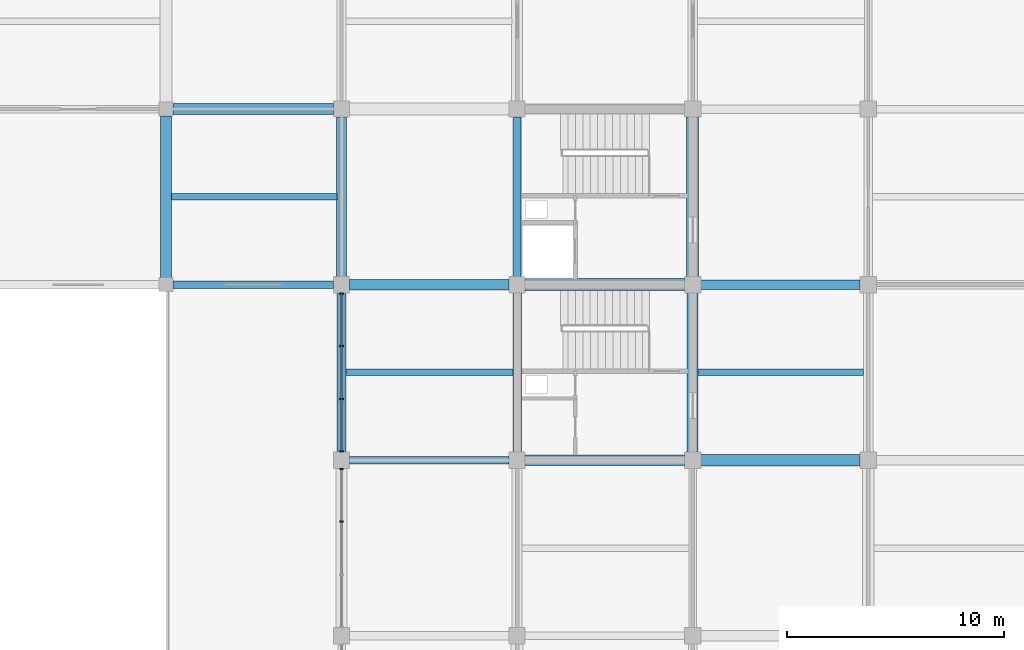
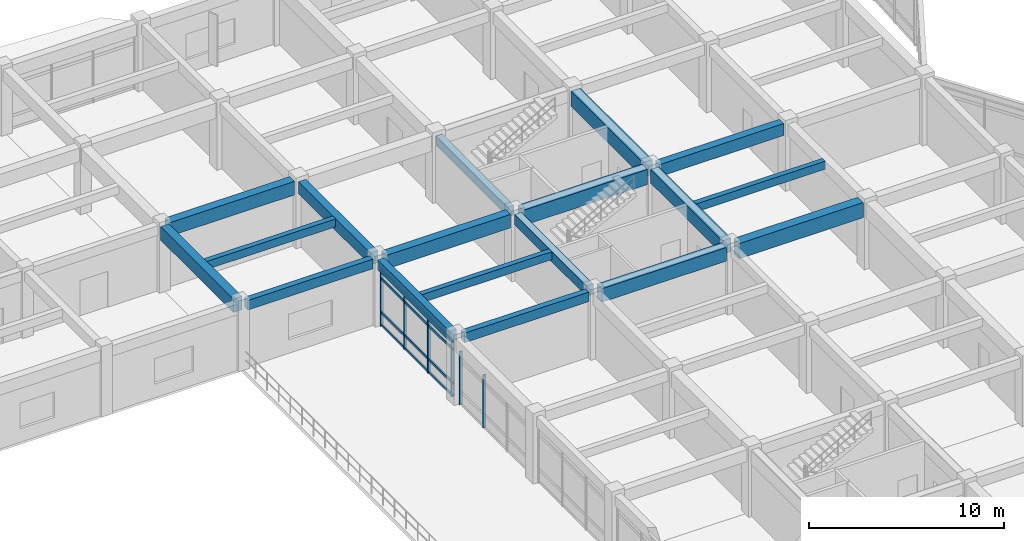
# One storey, part 31 of 70: 18 beams, 10 members, 2 elements without a shape of their own.
"""IFC4 building model written with IfcOpenShell, lengths in metres."""

import ifcopenshell
import ifcopenshell.guid

model = None  # the IFC model being written
_history = None  # IfcOwnerHistory: only IFC2X3 demands one
_inside = {}  # id of a spatial element -> (the spatial element, [elements in it])
_under = {}  # id of a project, library or spatial element -> (it, [spatial elements below it])
_declared = {}  # id of a project -> (the project, [libraries it declares])
_typed = {}  # id of a type object -> (the type object, [elements of that type])
_made_of = {}  # id of a material, layer set ... -> (it, [elements and type objects made of it])


def new_model(schema):
    """Start an empty IFC model of exactly this schema.

    Asked for "IFC4X3", IfcOpenShell would pick the latest addendum, in which some entities
    have other attributes; the version numbers below select the first issue.
    IFC2X3 requires an IfcOwnerHistory on every rooted entity: one is made here for all.
    """
    global model, _history
    if schema == "IFC4X3":
        model = ifcopenshell.file(schema_version=(4, 3, 0, 0))
    else:
        model = ifcopenshell.file(schema=schema)
    _inside.clear()
    _under.clear()
    _declared.clear()
    _typed.clear()
    _made_of.clear()
    _history = None
    if model.schema == "IFC2X3":
        org = make("IfcOrganization", Name="unknown")
        user = make(
            "IfcPersonAndOrganization",
            ThePerson=make("IfcPerson", FamilyName="unknown"),
            TheOrganization=org,
        )
        app = make(
            "IfcApplication",
            ApplicationDeveloper=org,
            Version="unknown",
            ApplicationFullName="unknown",
            ApplicationIdentifier="unknown",
        )
        _history = make(
            "IfcOwnerHistory",
            OwningUser=user,
            OwningApplication=app,
            ChangeAction="ADDED",
            CreationDate=0,
        )
    return model


def make(cls, **values):
    """One entity of the class cls with the attributes given. An attribute that is None is left unset."""
    return model.create_entity(
        cls, **{name: value for name, value in values.items() if value is not None}
    )


def rooted(cls, **values):
    """An entity with a GlobalId (a new one), such as an element, a storey or a relation."""
    return make(cls, GlobalId=ifcopenshell.guid.new(), OwnerHistory=_history, **values)


def si_unit(unit_type, name, prefix=None):
    """IfcSIUnit, for example si_unit("LENGTHUNIT", "METRE", prefix="MILLI")."""
    return make("IfcSIUnit", UnitType=unit_type, Prefix=prefix, Name=name)


def assignment(units):
    """IfcUnitAssignment: the units of a project."""
    return None if units is None else make("IfcUnitAssignment", Units=units)


def point(xyz):
    """IfcCartesianPoint."""
    return None if xyz is None else make("IfcCartesianPoint", Coordinates=xyz)


def direction(xyz):
    """IfcDirection."""
    return None if xyz is None else make("IfcDirection", DirectionRatios=xyz)


def frame(location, z_axis=None, x_axis=None):
    """IfcAxis2Placement3D, a coordinate frame: its origin and axes. An axis left out is left unset."""
    return make(
        "IfcAxis2Placement3D",
        Location=point(location),
        Axis=direction(z_axis),
        RefDirection=direction(x_axis),
    )


def frame_2d(location, x_axis=None):
    """IfcAxis2Placement2D, a coordinate frame in the plane: its origin and x axis."""
    return make(
        "IfcAxis2Placement2D", Location=point(location), RefDirection=direction(x_axis)
    )


def origin():
    """The frame at (0, 0, 0) with its axes left unset."""
    return frame((0.0, 0.0, 0.0))


def origin_2d():
    """The frame at (0, 0) in the plane with its x axis left unset."""
    return frame_2d((0.0, 0.0))


def place(relative_to, where):
    """IfcLocalPlacement: puts the frame where relative to a parent placement (None: the world)."""
    return make(
        "IfcLocalPlacement", PlacementRelTo=relative_to, RelativePlacement=where
    )


def context(
    kind, dimensions, precision=None, world=None, true_north=None, identifier=None
):
    """IfcGeometricRepresentationContext, for example the 3D "Model" context."""
    return make(
        "IfcGeometricRepresentationContext",
        ContextIdentifier=identifier,
        ContextType=kind,
        CoordinateSpaceDimension=dimensions,
        Precision=precision,
        WorldCoordinateSystem=world,
        TrueNorth=true_north,
    )


def subcontext(parent, identifier, kind, view, scale=None):
    """IfcGeometricRepresentationSubContext, for example "Body" below "Model"."""
    return make(
        "IfcGeometricRepresentationSubContext",
        ContextIdentifier=identifier,
        ContextType=kind,
        ParentContext=parent,
        TargetScale=scale,
        TargetView=view,
    )


def project(units=None, contexts=None):
    """IfcProject with its units and contexts."""
    return rooted(
        "IfcProject",
        Name="project",
        RepresentationContexts=contexts,
        UnitsInContext=assignment(units),
    )


def spatial(cls, under=None, at=None, **own):
    """A site, building, storey or space (cls), placed at a placement, below another one or the project."""
    s = rooted(cls, ObjectPlacement=at, **own)
    if under is not None:
        _under.setdefault(under.id(), (under, []))[1].append(s)
    return s


def profile(cls, at=None, kind="AREA", **sizes):
    """A parametric profile (cls). Its sizes go by their IFC names, for example OverallWidth=200.0."""
    return make(cls, ProfileType=kind, Position=at, **sizes)


def rectangle(**sizes):
    """IfcRectangleProfileDef."""
    return profile("IfcRectangleProfileDef", **sizes)


def extrude(swept, where, along, depth):
    """IfcExtrudedAreaSolid: the profile swept, set in the frame where, extruded along a direction by depth."""
    return make(
        "IfcExtrudedAreaSolid",
        SweptArea=swept,
        Position=where,
        ExtrudedDirection=direction(along),
        Depth=depth,
    )


def shape(context_of_items, identifier, shape_type, items):
    """IfcShapeRepresentation: the items that make up one representation, for example the "Body"."""
    return make(
        "IfcShapeRepresentation",
        ContextOfItems=context_of_items,
        RepresentationIdentifier=identifier,
        RepresentationType=shape_type,
        Items=items,
    )


def material(Name=None, Category=None):
    """IfcMaterial."""
    return make("IfcMaterial", Name=Name, Category=Category)


def layer(
    of_material, thickness, ventilated=None, Name=None, Category=None, Priority=None
):
    """IfcMaterialLayer: one layer of a wall or slab, of a material (None: an air gap)."""
    return make(
        "IfcMaterialLayer",
        Material=of_material,
        LayerThickness=thickness,
        IsVentilated=ventilated,
        Name=Name,
        Category=Category,
        Priority=Priority,
    )


def layer_set(layers, Name=None):
    """IfcMaterialLayerSet."""
    return make("IfcMaterialLayerSet", MaterialLayers=layers, LayerSetName=Name)


def material_profile(
    of_material, cross_section, Name=None, Category=None, Priority=None
):
    """IfcMaterialProfile: a cross section and its material."""
    return make(
        "IfcMaterialProfile",
        Name=Name,
        Material=of_material,
        Profile=cross_section,
        Priority=Priority,
        Category=Category,
    )


def profile_set(profiles, Name=None, composite=None):
    """IfcMaterialProfileSet."""
    return make(
        "IfcMaterialProfileSet",
        Name=Name,
        MaterialProfiles=profiles,
        CompositeProfile=composite,
    )


def made_of(thing, what):
    """Note that an element or type object is made of a material, layer set ...; save() writes the relation."""
    if what is not None:
        _made_of.setdefault(what.id(), (what, []))[1].append(thing)
    return thing


def type_object(cls, material=None, **own):
    """A type object (cls), such as IfcWallType, which elements share."""
    return made_of(rooted(cls, **own), material)


def element(
    cls,
    number,
    at=None,
    inside=None,
    cuts=None,
    type_object=None,
    material=None,
    context=None,
    identifier="Body",
    shape_type=None,
    held_by="IfcProductDefinitionShape",
    body=None,
    shapes=None,
    **own,
):
    """One element of the class cls, such as IfcWall. Its Tag is "e" and its number.

    at: its placement. inside: the storey or other place that contains it. cuts: it is an
    opening in that element (IfcRelVoidsElement). A single representation is given by context,
    identifier, shape_type and body (its items); several are given by shapes. held_by: the class
    of the entity that holds the representations. save() writes the other relations.
    """
    e = rooted(cls, Tag="e%d" % number, ObjectPlacement=at, **own)
    if body is not None:
        shapes = [shape(context, identifier, shape_type, body)]
    if shapes is not None:
        e.Representation = make(held_by, Representations=shapes)
    if inside is not None:
        _inside.setdefault(inside.id(), (inside, []))[1].append(e)
    if cuts is not None:
        rooted(
            "IfcRelVoidsElement", RelatingBuildingElement=cuts, RelatedOpeningElement=e
        )
    if type_object is not None:
        _typed.setdefault(type_object.id(), (type_object, []))[1].append(e)
    return made_of(e, material)


def aggregate(whole, parts):
    """IfcRelAggregates: a whole, such as a stair, and the parts it consists of."""
    return rooted("IfcRelAggregates", RelatingObject=whole, RelatedObjects=parts)


def save(model, path):
    """Write the relations noted so far, then the file.

    IfcRelAggregates (storeys below a building ...), IfcRelContainedInSpatialStructure (elements
    in a storey), IfcRelDefinesByType, IfcRelAssociatesMaterial and IfcRelDeclares: one each for
    every whole, place, type object, material and project.
    """
    for whole, parts in _under.values():
        aggregate(whole, parts)
    for where, things in _inside.values():
        rooted(
            "IfcRelContainedInSpatialStructure",
            RelatedElements=things,
            RelatingStructure=where,
        )
    for kind, things in _typed.values():
        rooted("IfcRelDefinesByType", RelatedObjects=things, RelatingType=kind)
    for what, things in _made_of.values():
        rooted("IfcRelAssociatesMaterial", RelatedObjects=things, RelatingMaterial=what)
    for by, libraries in _declared.values():
        rooted("IfcRelDeclares", RelatingContext=by, RelatedDefinitions=libraries)
    model.write(path)


model = new_model("IFC4")

# Units and contexts
model_context = context("Model", 3, precision=1e-05, world=origin(), true_north=direction((0.0, 1.0)))
body_context = subcontext(model_context, "Body", "Model", "MODEL_VIEW")
ifc_project = project(units=[si_unit("LENGTHUNIT", "METRE"), si_unit("AREAUNIT", "SQUARE_METRE"), si_unit("VOLUMEUNIT", "CUBIC_METRE"), si_unit("PLANEANGLEUNIT", "RADIAN"), si_unit("MASSUNIT", "GRAM", prefix="KILO")], contexts=[model_context])

# Site, building, storey
site_placement = place(None, origin())
site = spatial("IfcSite", under=ifc_project, at=site_placement, CompositionType="ELEMENT")
building_placement = place(site_placement, origin())
building = spatial("IfcBuilding", under=site, at=building_placement, Name="Vaudrelin Polytechnic", CompositionType="ELEMENT")
storey_placement = place(building_placement, frame((0.0, 0.0, 14.110107421875)))
storey = spatial("IfcBuildingStorey", under=building, at=storey_placement, Name="L03", CompositionType="ELEMENT", Elevation=14.110107421875)

# Beams
ifc_material_1 = material(Name="Concrete 40 MPa", Category="concrete")
ifc_material_profile_1 = material_profile(ifc_material_1, rectangle(XDim=0.35009765625, YDim=0.60009765625, at=origin_2d()), Name="RC350x600")
ifc_profile_set_1 = profile_set([ifc_material_profile_1], Name="Concrete 40 MPa")
beam_type_1 = type_object("IfcBeamType", Name="BM-BM-RC3560", PredefinedType="BEAM", material=ifc_profile_set_1)
beam_1_placement = place(storey_placement, frame((145.800048828125, 97.56005859375, 3.85986328125), z_axis=(0.0, 1.0, 0.0), x_axis=(-1.0, 0.0, 0.0)))
element("IfcBeam", 1, at=beam_1_placement, inside=storey, type_object=beam_type_1, Name="L03 Y-beam 19-13", PredefinedType="BEAM", context=body_context, shape_type="SweptSolid", body=[
    extrude(rectangle(XDim=0.35009765625, YDim=0.60009765625, at=origin_2d()), origin(), (0.0, 0.0, 1.0), 7.3798828125),
])
beam_2_placement = place(storey_placement, frame((129.9208984375, 97.199951171875, 3.849853515625), z_axis=(1.0, 0.0, 0.0), x_axis=(0.0, 1.0, 0.0)))
element("IfcBeam", 2, at=beam_2_placement, inside=storey, type_object=beam_type_1, Name="L03 X-beam 17-13", PredefinedType="BEAM", context=body_context, shape_type="SweptSolid", body=[
    extrude(rectangle(XDim=0.35009765625, YDim=0.60009765625, at=origin_2d()), origin(), (0.0, 0.0, 1.0), 7.408203125),
])
beam_3_placement = place(storey_placement, frame((138.071044921875, 89.10009765625, 3.85986328125), z_axis=(1.0, 0.0, 0.0), x_axis=(0.0, 1.0, 0.0)))
element("IfcBeam", 3, at=beam_3_placement, inside=storey, type_object=beam_type_1, Name="L03 X-beam 18-12", PredefinedType="BEAM", context=body_context, shape_type="SweptSolid", body=[
    extrude(rectangle(XDim=0.35009765625, YDim=0.60009765625, at=origin_2d()), origin(), (0.0, 0.0, 1.0), 7.35791015625),
])
ifc_material_profile_2 = material_profile(ifc_material_1, rectangle(XDim=0.39990234375, YDim=0.64990234375, at=origin_2d()), Name="RC400x650")
ifc_profile_set_2 = profile_set([ifc_material_profile_2], Name="Concrete 40 MPa")
beam_type_2 = type_object("IfcBeamType", Name="BM-BM-RC4065", PredefinedType="BEAM", material=ifc_profile_set_2)
beam_4_placement = place(storey_placement, frame((145.800048828125, 89.4599609375, 3.8349609375), z_axis=(0.0, 1.0, 0.0), x_axis=(-1.0, 0.0, 0.0)))
element("IfcBeam", 4, at=beam_4_placement, inside=storey, type_object=beam_type_2, Name="L03 Y-beam 19-12", PredefinedType="BEAM", context=body_context, shape_type="SweptSolid", body=[
    extrude(rectangle(XDim=0.39990234375, YDim=0.64990234375, at=origin_2d()), origin(), (0.0, 0.0, 1.0), 7.380126953125),
])
ifc_material_profile_3 = material_profile(ifc_material_1, rectangle(XDim=0.449951171875, YDim=0.75, at=origin_2d()), Name="RC450x750")
ifc_profile_set_3 = profile_set([ifc_material_profile_3], Name="Concrete 40 MPa")
beam_type_3 = type_object("IfcBeamType", Name="BM-BM-RC4575", PredefinedType="BEAM", material=ifc_profile_set_3)
beam_5_placement = place(storey_placement, frame((137.699951171875, 97.56005859375, 3.77490234375), z_axis=(0.0, 1.0, 0.0), x_axis=(-1.0, 0.0, 0.0)))
element("IfcBeam", 5, at=beam_5_placement, inside=storey, type_object=beam_type_3, Name="L03 Y-beam 18-13", PredefinedType="BEAM", context=body_context, shape_type="SweptSolid", body=[
    extrude(rectangle(XDim=0.449951171875, YDim=0.75, at=origin_2d()), origin(), (0.0, 0.0, 1.0), 7.3798828125),
])
beam_6_placement = place(storey_placement, frame((154.27099609375, 97.199951171875, 3.784912109375), z_axis=(1.0, 0.0, 0.0), x_axis=(0.0, 1.0, 0.0)))
element("IfcBeam", 6, at=beam_6_placement, inside=storey, type_object=beam_type_3, Name="L03 X-beam 20-13", PredefinedType="BEAM", context=body_context, shape_type="SweptSolid", body=[
    extrude(rectangle(XDim=0.449951171875, YDim=0.75, at=origin_2d()), origin(), (0.0, 0.0, 1.0), 7.35791015625),
])
ifc_material_profile_4 = material_profile(ifc_material_1, rectangle(XDim=0.5, YDim=0.85009765625, at=origin_2d()), Name="RC500x850")
ifc_profile_set_4 = profile_set([ifc_material_profile_4], Name="Concrete 40 MPa")
beam_type_4 = type_object("IfcBeamType", Name="BM-BM-RC5085", PredefinedType="BEAM", material=ifc_profile_set_4)
beam_7_placement = place(storey_placement, frame((129.60009765625, 97.510009765625, 3.724853515625), z_axis=(0.0, 1.0, 0.0), x_axis=(-1.0, 0.0, 0.0)))
element("IfcBeam", 7, at=beam_7_placement, inside=storey, type_object=beam_type_4, Name="L03 Y-beam 17-13", PredefinedType="BEAM", context=body_context, shape_type="SweptSolid", body=[
    extrude(rectangle(XDim=0.5, YDim=0.85009765625, at=origin_2d()), origin(), (0.0, 0.0, 1.0), 7.47998046875),
])
beam_8_placement = place(storey_placement, frame((153.89990234375, 89.4599609375, 3.73486328125), z_axis=(0.0, 1.0, 0.0), x_axis=(-1.0, 0.0, 0.0)))
element("IfcBeam", 8, at=beam_8_placement, inside=storey, type_object=beam_type_4, Name="L03 Y-beam 20-12", PredefinedType="BEAM", context=body_context, shape_type="SweptSolid", body=[
    extrude(rectangle(XDim=0.5, YDim=0.85009765625, at=origin_2d()), origin(), (0.0, 0.0, 1.0), 7.380126953125),
])
beam_9_placement = place(storey_placement, frame((129.9208984375, 105.300048828125, 3.724853515625), z_axis=(1.0, 0.0, 0.0), x_axis=(0.0, 1.0, 0.0)))
element("IfcBeam", 9, at=beam_9_placement, inside=storey, type_object=beam_type_4, Name="L03 X-beam 17-14", PredefinedType="BEAM", context=body_context, shape_type="SweptSolid", body=[
    extrude(rectangle(XDim=0.5, YDim=0.85009765625, at=origin_2d()), origin(), (0.0, 0.0, 1.0), 7.408203125),
])
beam_10_placement = place(storey_placement, frame((138.071044921875, 97.199951171875, 3.73486328125), z_axis=(1.0, 0.0, 0.0), x_axis=(0.0, 1.0, 0.0)))
element("IfcBeam", 10, at=beam_10_placement, inside=storey, type_object=beam_type_4, Name="L03 X-beam 18-13", PredefinedType="BEAM", context=body_context, shape_type="SweptSolid", body=[
    extrude(rectangle(XDim=0.5, YDim=0.85009765625, at=origin_2d()), origin(), (0.0, 0.0, 1.0), 7.35791015625),
])
beam_11_placement = place(storey_placement, frame((146.1708984375, 89.10009765625, 3.73486328125), z_axis=(1.0, 0.0, 0.0), x_axis=(0.0, 1.0, 0.0)))
element("IfcBeam", 11, at=beam_11_placement, inside=storey, type_object=beam_type_4, Name="L03 X-beam 19-12", PredefinedType="BEAM", context=body_context, shape_type="SweptSolid", body=[
    extrude(rectangle(XDim=0.5, YDim=0.85009765625, at=origin_2d()), origin(), (0.0, 0.0, 1.0), 7.358154296875),
])
ifc_material_2 = material(Name="Concrete 50 MPa", Category="concrete")
ifc_material_profile_5 = material_profile(ifc_material_2, rectangle(XDim=0.550048828125, YDim=0.949951171875, at=origin_2d()), Name="RC550x950")
ifc_profile_set_5 = profile_set([ifc_material_profile_5], Name="Concrete 50 MPa")
beam_type_5 = type_object("IfcBeamType", Name="BM-BM-RC5595", PredefinedType="BEAM", material=ifc_profile_set_5)
beam_12_placement = place(storey_placement, frame((153.89990234375, 97.56005859375, 3.684814453125), z_axis=(0.0, 1.0, 0.0), x_axis=(-1.0, 0.0, 0.0)))
element("IfcBeam", 12, at=beam_12_placement, inside=storey, type_object=beam_type_5, Name="L03 Y-beam 20-13", PredefinedType="BEAM", context=body_context, shape_type="SweptSolid", body=[
    extrude(rectangle(XDim=0.550048828125, YDim=0.949951171875, at=origin_2d()), origin(), (0.0, 0.0, 1.0), 7.3798828125),
])
beam_13_placement = place(storey_placement, frame((146.1708984375, 97.199951171875, 3.684814453125), z_axis=(1.0, 0.0, 0.0), x_axis=(0.0, 1.0, 0.0)))
element("IfcBeam", 13, at=beam_13_placement, inside=storey, type_object=beam_type_5, Name="L03 X-beam 19-13", PredefinedType="BEAM", context=body_context, shape_type="SweptSolid", body=[
    extrude(rectangle(XDim=0.550048828125, YDim=0.949951171875, at=origin_2d()), origin(), (0.0, 0.0, 1.0), 7.358154296875),
])
beam_14_placement = place(storey_placement, frame((154.27099609375, 89.10009765625, 3.684814453125), z_axis=(1.0, 0.0, 0.0), x_axis=(0.0, 1.0, 0.0)))
element("IfcBeam", 14, at=beam_14_placement, inside=storey, type_object=beam_type_5, Name="L03 X-beam 20-12", PredefinedType="BEAM", context=body_context, shape_type="SweptSolid", body=[
    extrude(rectangle(XDim=0.550048828125, YDim=0.949951171875, at=origin_2d()), origin(), (0.0, 0.0, 1.0), 7.35791015625),
])
ifc_material_profile_6 = material_profile(ifc_material_1, rectangle(XDim=0.300048828125, YDim=0.5, at=origin_2d()), Name="RC300x500")
ifc_profile_set_6 = profile_set([ifc_material_profile_6], Name="Concrete 40 MPa")
beam_type_6 = type_object("IfcBeamType", Name="BM-JS-RC3050", PredefinedType="JOIST", material=ifc_profile_set_6)
beam_15_placement = place(storey_placement, frame((129.845947265625, 101.25, 3.89990234375), z_axis=(1.0, 0.0, 0.0), x_axis=(0.0, 1.0, 0.0)))
element("IfcBeam", 15, at=beam_15_placement, inside=storey, type_object=beam_type_6, Name="L03 floor joist 17-13", PredefinedType="JOIST", context=body_context, shape_type="SweptSolid", body=[
    extrude(rectangle(XDim=0.300048828125, YDim=0.5, at=origin_2d()), origin(), (0.0, 0.0, 1.0), 7.633056640625),
])
beam_16_placement = place(storey_placement, frame((137.89599609375, 93.14990234375, 3.909912109375), z_axis=(1.0, 0.0, 0.0), x_axis=(0.0, 1.0, 0.0)))
element("IfcBeam", 16, at=beam_16_placement, inside=storey, type_object=beam_type_6, Name="L03 floor joist 18-12", PredefinedType="JOIST", context=body_context, shape_type="SweptSolid", body=[
    extrude(rectangle(XDim=0.300048828125, YDim=0.5, at=origin_2d()), origin(), (0.0, 0.0, 1.0), 7.7080078125),
])
beam_17_placement = place(storey_placement, frame((154.14599609375, 93.14990234375, 3.909912109375), z_axis=(1.0, 0.0, 0.0), x_axis=(0.0, 1.0, 0.0)))
element("IfcBeam", 17, at=beam_17_placement, inside=storey, type_object=beam_type_6, Name="L03 floor joist 20-12", PredefinedType="JOIST", context=body_context, shape_type="SweptSolid", body=[
    extrude(rectangle(XDim=0.300048828125, YDim=0.5, at=origin_2d()), origin(), (0.0, 0.0, 1.0), 7.633056640625),
])
ifc_material_profile_7 = material_profile(ifc_material_1, rectangle(XDim=0.39990234375, YDim=0.64990234375, at=origin_2d()), Name="RC400x650")
ifc_profile_set_7 = profile_set([ifc_material_profile_7], Name="Concrete 40 MPa")
beam_type_7 = type_object("IfcBeamType", Name="BM-SP-RC4065", PredefinedType="SPANDREL", material=ifc_profile_set_7)
beam_18_placement = place(storey_placement, frame((137.699951171875, 89.4599609375, 3.8349609375), z_axis=(0.0, 1.0, 0.0), x_axis=(-1.0, 0.0, 0.0)))
element("IfcBeam", 18, at=beam_18_placement, inside=storey, type_object=beam_type_7, Name="L03 Y-beam 18-12", PredefinedType="SPANDREL", context=body_context, shape_type="SweptSolid", body=[
    extrude(rectangle(XDim=0.39990234375, YDim=0.64990234375, at=origin_2d()), origin(), (0.0, 0.0, 1.0), 7.380126953125),
])

# Curtain wall, members
ifc_material_3 = material(Name="Thermally broken anodised aluminium AA 6063-T6 and low-e triple glazing", Category="aluminium")
ifc_layer = layer(ifc_material_3, 0.199951171875)
ifc_layer_set = layer_set([ifc_layer], Name="Thermally broken anodised aluminium AA 6063-T6 and low-e triple glazing")
curtain_wall_type = type_object("IfcCurtainWallType", Name="CW-CW-LAB", PredefinedType="USERDEFINED", material=ifc_layer_set)
curtain_wall_1_placement = place(storey_placement, origin())
curtain_wall_1 = element("IfcCurtainWall", 19, at=curtain_wall_1_placement, inside=storey, type_object=curtain_wall_type, Name="Curtain wall L03 W_V4_08", ObjectType="CURTAIN WALL", PredefinedType="USERDEFINED")
ifc_material_4 = material(Name="Anodised aluminium AA 6063-T6", Category="aluminium")
ifc_material_profile_8 = material_profile(ifc_material_4, rectangle(XDim=0.06494140625, YDim=0.179931640625, at=origin_2d()), Name="CWM-65x180")
ifc_profile_set_8 = profile_set([ifc_material_profile_8], Name="Anodised aluminium AA 6063-T6")
member_type_1 = type_object("IfcMemberType", Name="MEM-CWM-180", PredefinedType="MULLION", material=ifc_profile_set_8)
member_1_placement = place(storey_placement, frame((137.699951171875, 86.275634765625, 0.0), z_axis=(0.0, 0.0, 1.0), x_axis=(0.0, 1.0, 0.0)))
member_1 = element("IfcMember", 20, at=member_1_placement, type_object=member_type_1, Name="W_V4_08 mullion 3", PredefinedType="MULLION", context=body_context, shape_type="SweptSolid", body=[
    extrude(rectangle(XDim=0.06494140625, YDim=0.179931640625, at=origin_2d()), origin(), (0.0, 0.0, 1.0), 3.31201171875),
])
member_2_placement = place(storey_placement, frame((137.699951171875, 88.68701171875, 0.0), z_axis=(0.0, 0.0, 1.0), x_axis=(0.0, 1.0, 0.0)))
member_2 = element("IfcMember", 21, at=member_2_placement, type_object=member_type_1, Name="W_V4_08 mullion 4", PredefinedType="MULLION", context=body_context, shape_type="SweptSolid", body=[
    extrude(rectangle(XDim=0.06494140625, YDim=0.179931640625, at=origin_2d()), origin(), (0.0, 0.0, 1.0), 3.31201171875),
])
aggregate(curtain_wall_1, [member_1, member_2])

curtain_wall_2_placement = place(storey_placement, origin())
curtain_wall_2 = element("IfcCurtainWall", 22, at=curtain_wall_2_placement, inside=storey, type_object=curtain_wall_type, Name="Curtain wall L03 W_V4_09", ObjectType="CURTAIN WALL", PredefinedType="USERDEFINED")
member_3_placement = place(storey_placement, frame((137.699951171875, 89.512939453125, 0.0), z_axis=(0.0, 0.0, 1.0), x_axis=(0.0, 1.0, 0.0)))
member_3 = element("IfcMember", 23, at=member_3_placement, type_object=member_type_1, Name="W_V4_09 mullion 1", PredefinedType="MULLION", context=body_context, shape_type="SweptSolid", body=[
    extrude(rectangle(XDim=0.06494140625, YDim=0.179931640625, at=origin_2d()), origin(), (0.0, 0.0, 1.0), 3.511962890625),
])
member_4_placement = place(storey_placement, frame((137.699951171875, 91.92431640625, 0.0), z_axis=(0.0, 0.0, 1.0), x_axis=(0.0, 1.0, 0.0)))
member_4 = element("IfcMember", 24, at=member_4_placement, type_object=member_type_1, Name="W_V4_09 mullion 2", PredefinedType="MULLION", context=body_context, shape_type="SweptSolid", body=[
    extrude(rectangle(XDim=0.06494140625, YDim=0.179931640625, at=origin_2d()), origin(), (0.0, 0.0, 1.0), 3.511962890625),
])
member_5_placement = place(storey_placement, frame((137.699951171875, 94.375732421875, 0.0), z_axis=(0.0, 0.0, 1.0), x_axis=(0.0, 1.0, 0.0)))
member_5 = element("IfcMember", 25, at=member_5_placement, type_object=member_type_1, Name="W_V4_09 mullion 3", PredefinedType="MULLION", context=body_context, shape_type="SweptSolid", body=[
    extrude(rectangle(XDim=0.06494140625, YDim=0.179931640625, at=origin_2d()), origin(), (0.0, 0.0, 1.0), 3.511962890625),
])
member_6_placement = place(storey_placement, frame((137.699951171875, 96.787109375, 0.0), z_axis=(0.0, 0.0, 1.0), x_axis=(0.0, 1.0, 0.0)))
member_6 = element("IfcMember", 26, at=member_6_placement, type_object=member_type_1, Name="W_V4_09 mullion 4", PredefinedType="MULLION", context=body_context, shape_type="SweptSolid", body=[
    extrude(rectangle(XDim=0.06494140625, YDim=0.179931640625, at=origin_2d()), origin(), (0.0, 0.0, 1.0), 3.511962890625),
])
ifc_material_profile_9 = material_profile(ifc_material_4, rectangle(XDim=0.074951171875, YDim=0.1650390625, at=origin_2d()), Name="CWT-75x165")
ifc_profile_set_9 = profile_set([ifc_material_profile_9], Name="Anodised aluminium AA 6063-T6")
member_type_2 = type_object("IfcMemberType", Name="MEM-CWT-165", PredefinedType="USERDEFINED", material=ifc_profile_set_9)
member_7_placement = place(storey_placement, frame((137.699951171875, 89.472900390625, 0.0498046875), z_axis=(0.0, 1.0, 0.0), x_axis=(-1.0, 0.0, 0.0)))
member_7 = element("IfcMember", 27, at=member_7_placement, type_object=member_type_2, Name="W_V4_09 transom 1", ObjectType="TRANSOM", PredefinedType="USERDEFINED", context=body_context, shape_type="SweptSolid", body=[
    extrude(rectangle(XDim=0.074951171875, YDim=0.1650390625, at=origin_2d()), origin(), (0.0, 0.0, 1.0), 7.35400390625),
])
member_8_placement = place(storey_placement, frame((137.699951171875, 89.472900390625, 0.849853515625), z_axis=(0.0, 1.0, 0.0), x_axis=(-1.0, 0.0, 0.0)))
member_8 = element("IfcMember", 28, at=member_8_placement, type_object=member_type_2, Name="W_V4_09 transom 2", ObjectType="TRANSOM", PredefinedType="USERDEFINED", context=body_context, shape_type="SweptSolid", body=[
    extrude(rectangle(XDim=0.074951171875, YDim=0.1650390625, at=origin_2d()), origin(), (0.0, 0.0, 1.0), 7.35400390625),
])
member_9_placement = place(storey_placement, frame((137.699951171875, 89.472900390625, 2.9619140625), z_axis=(0.0, 1.0, 0.0), x_axis=(-1.0, 0.0, 0.0)))
member_9 = element("IfcMember", 29, at=member_9_placement, type_object=member_type_2, Name="W_V4_09 transom 3", ObjectType="TRANSOM", PredefinedType="USERDEFINED", context=body_context, shape_type="SweptSolid", body=[
    extrude(rectangle(XDim=0.074951171875, YDim=0.1650390625, at=origin_2d()), origin(), (0.0, 0.0, 1.0), 7.35400390625),
])
member_10_placement = place(storey_placement, frame((137.699951171875, 89.472900390625, 3.4619140625), z_axis=(0.0, 1.0, 0.0), x_axis=(-1.0, 0.0, 0.0)))
member_10 = element("IfcMember", 30, at=member_10_placement, type_object=member_type_2, Name="W_V4_09 transom 4", ObjectType="TRANSOM", PredefinedType="USERDEFINED", context=body_context, shape_type="SweptSolid", body=[
    extrude(rectangle(XDim=0.074951171875, YDim=0.1650390625, at=origin_2d()), origin(), (0.0, 0.0, 1.0), 7.35400390625),
])
aggregate(curtain_wall_2, [member_3, member_4, member_5, member_6, member_7, member_8, member_9, member_10])

save(model, "model.ifc")
